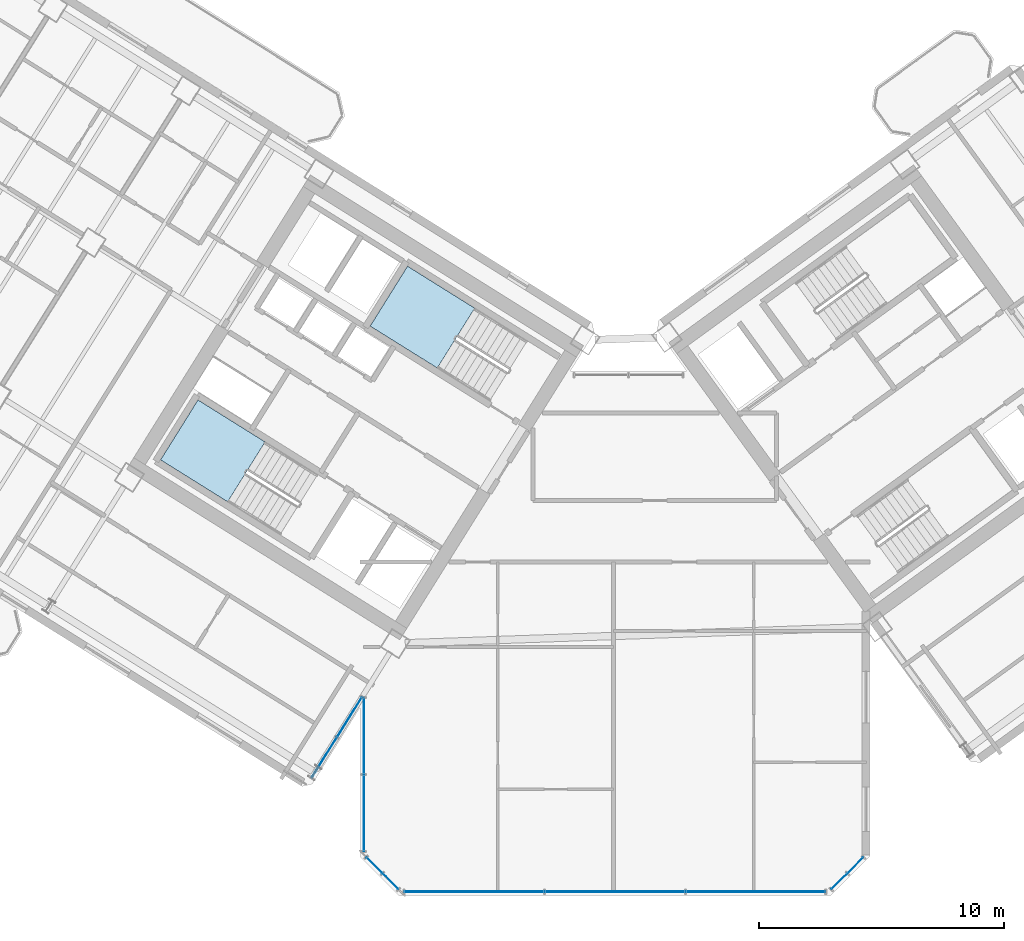
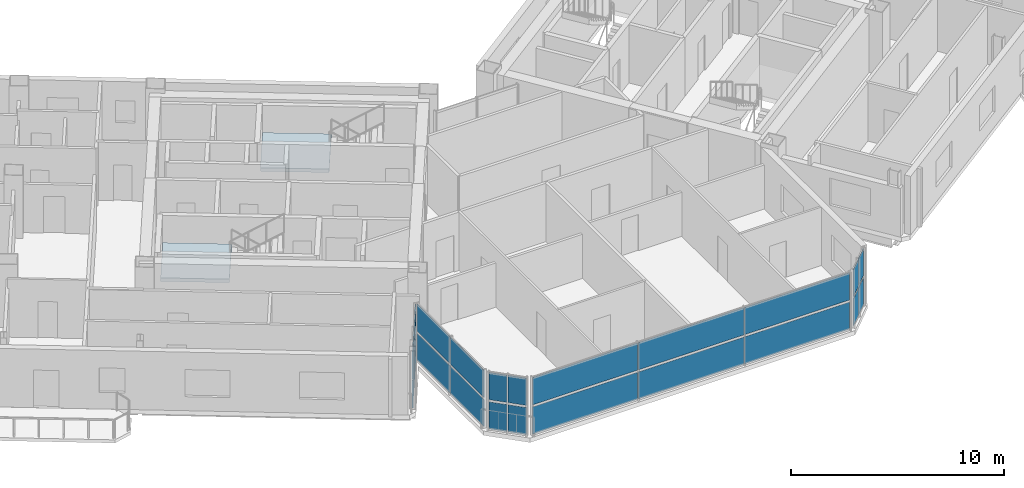
# One storey, part 14 of 25: 22 plates, 2 slabs, 7 elements without a shape of their own.
"""IFC4 building model written with IfcOpenShell, lengths in metres."""

from ifc_helpers import new_model, si_unit, direction, frame, origin, origin_2d, place, context, subcontext, project, spatial, polyline, rectangle, outline, extrude, source, transform, mapped, material, layer, layer_set, type_object, element, aggregate, save


model = new_model("IFC4")

# Units and contexts
model_context = context("Model", 3, precision=1e-05, world=origin(), true_north=direction((0.0, 1.0)))
body_context = subcontext(model_context, "Body", "Model", "MODEL_VIEW")
ifc_project = project(units=[si_unit("LENGTHUNIT", "METRE"), si_unit("AREAUNIT", "SQUARE_METRE"), si_unit("VOLUMEUNIT", "CUBIC_METRE"), si_unit("PLANEANGLEUNIT", "RADIAN"), si_unit("MASSUNIT", "GRAM", prefix="KILO")], contexts=[model_context])

# Site, building, storey
site_placement = place(None, origin())
site = spatial("IfcSite", under=ifc_project, at=site_placement, CompositionType="ELEMENT")
building_placement = place(site_placement, origin())
building = spatial("IfcBuilding", under=site, at=building_placement, Name="Tlacorven Tower", CompositionType="ELEMENT")
storey_placement = place(building_placement, frame((0.0, 0.0, 162.300048828125)))
storey = spatial("IfcBuildingStorey", under=building, at=storey_placement, Name="L41", CompositionType="ELEMENT", Elevation=162.300048828125)

# Stair, slab
ifc_material_1 = material(Name="Concrete C40/50", Category="concrete")
stair_type = type_object("IfcStairType", Name="ST-CORE-DLG", PredefinedType="HALF_TURN_STAIR", material=ifc_material_1)
stair_1_placement = place(storey_placement, origin())
stair_1 = element("IfcStair", 1, at=stair_1_placement, inside=storey, type_object=stair_type, Name="L41 Protected Exit Stair West 1", PredefinedType="HALF_TURN_STAIR")
ifc_layer_1 = layer(ifc_material_1, 0.199951171875)
ifc_layer_set_1 = layer_set([ifc_layer_1], Name="Concrete C40/50")
slab_type = type_object("IfcSlabType", Name="SL-LND-200", PredefinedType="LANDING", material=ifc_layer_set_1)
slab_1_placement = place(storey_placement, frame((0.0, 0.0, 1.599853515625)))
slab_1 = element("IfcSlab", 2, at=slab_1_placement, type_object=slab_type, Name="ST-W1 landing 1", PredefinedType="LANDING", context=body_context, shape_type="SweptSolid", body=[
    extrude(outline(polyline([(27.728515625, 20.315185546875), (24.9892578125, 22.02685546875), (23.463134765625, 19.58447265625), (26.2021484375, 17.872802734375), (27.728515625, 20.315185546875)])), origin(), (0.0, 0.0, 1.0), 0.2001953125),
])
aggregate(stair_1, [slab_1])

stair_2_placement = place(storey_placement, origin())
stair_2 = element("IfcStair", 3, at=stair_2_placement, inside=storey, type_object=stair_type, Name="L41 Protected Exit Stair West 2", PredefinedType="HALF_TURN_STAIR")
slab_2_placement = place(storey_placement, frame((0.0, 0.0, 1.599853515625)))
slab_2 = element("IfcSlab", 4, at=slab_2_placement, type_object=slab_type, Name="ST-W2 landing 1", PredefinedType="LANDING", context=body_context, shape_type="SweptSolid", body=[
    extrude(outline(polyline([(36.280029296875, 25.772705078125), (33.540771484375, 27.484375), (32.0146484375, 25.0419921875), (34.75390625, 23.33056640625), (36.280029296875, 25.772705078125)])), origin(), (0.0, 0.0, 1.0), 0.2001953125),
])
aggregate(stair_2, [slab_2])

# Curtain wall, plates
ifc_material_2 = material(Name="Dark solar low-E double glazing in aluminium frame", Category="aluminium")
curtain_wall_type = type_object("IfcCurtainWallType", Name="CW-TWR-MID", PredefinedType="USERDEFINED", material=ifc_material_2)
curtain_wall_1_placement = place(storey_placement, origin())
curtain_wall_1 = element("IfcCurtainWall", 5, at=curtain_wall_1_placement, inside=storey, type_object=curtain_wall_type, Name="L41 CW-TWR-MID Curtain Wall 184", ObjectType="UNITISED CURTAIN WALL", PredefinedType="USERDEFINED")
ifc_material_3 = material(Name="High-wind dark solar tempered low-E glazing", Category="glass")
ifc_layer_2 = layer(ifc_material_3, 0.028076171875)
ifc_layer_set_2 = layer_set([ifc_layer_2], Name="High-wind dark solar tempered low-E glazing")
plate_type = type_object("IfcPlateType", Name="CWP-03", PredefinedType="CURTAIN_PANEL", material=ifc_layer_set_2)
shared_shape_1 = source(origin(), body_context, "Body", "SweptSolid", [
    extrude(rectangle(XDim=0.885498046875, YDim=0.028076171875, at=origin_2d()), origin(), (0.0, 0.0, 1.0), 1.552978515625),
])
plate_1_placement = place(storey_placement, frame((51.816650390625, 3.04296875, 0.06103515625), z_axis=(0.0, 0.0, 1.0), x_axis=(-0.707106781187, -0.707106781187, 0.0)))
plate_1 = element("IfcPlate", 6, at=plate_1_placement, type_object=plate_type, Name="CW-L41-184 Glazing Panel 1", PredefinedType="CURTAIN_PANEL", context=body_context, shape_type="MappedRepresentation", body=[
    mapped(shared_shape_1, transform((0.0, 0.0, 0.0), scale=1.0)),
])
plate_2_placement = place(storey_placement, frame((51.816650390625, 3.04296875, 1.73583984375), z_axis=(0.0, 0.0, 1.0), x_axis=(-0.707106781187, -0.707106781187, 0.0)))
plate_2 = element("IfcPlate", 7, at=plate_2_placement, type_object=plate_type, Name="CW-L41-184 Glazing Panel 2", PredefinedType="CURTAIN_PANEL", context=body_context, shape_type="MappedRepresentation", body=[
    mapped(shared_shape_1, transform((0.0, 0.0, 0.0), scale=1.0)),
])
plate_3_placement = place(storey_placement, frame((51.1572265625, 2.38330078125, 0.06103515625), z_axis=(0.0, 0.0, 1.0), x_axis=(-0.707106781187, -0.707106781187, 0.0)))
plate_3 = element("IfcPlate", 8, at=plate_3_placement, type_object=plate_type, Name="CW-L41-184 Glazing Panel 3", PredefinedType="CURTAIN_PANEL", context=body_context, shape_type="MappedRepresentation", body=[
    mapped(shared_shape_1, transform((0.0, 0.0, 0.0), scale=1.0)),
])
plate_4_placement = place(storey_placement, frame((51.1572265625, 2.38330078125, 1.73583984375), z_axis=(0.0, 0.0, 1.0), x_axis=(-0.707106781187, -0.707106781187, 0.0)))
plate_4 = element("IfcPlate", 9, at=plate_4_placement, type_object=plate_type, Name="CW-L41-184 Glazing Panel 4", PredefinedType="CURTAIN_PANEL", context=body_context, shape_type="MappedRepresentation", body=[
    mapped(shared_shape_1, transform((0.0, 0.0, 0.0), scale=1.0)),
])
aggregate(curtain_wall_1, [plate_1, plate_2, plate_3, plate_4])

curtain_wall_2_placement = place(storey_placement, origin())
curtain_wall_2 = element("IfcCurtainWall", 10, at=curtain_wall_2_placement, inside=storey, type_object=curtain_wall_type, Name="L41 CW-TWR-MID Curtain Wall 186", ObjectType="UNITISED CURTAIN WALL", PredefinedType="USERDEFINED")
plate_5_placement = place(storey_placement, frame((32.8427734375, 2.38330078125, 0.06103515625), z_axis=(0.0, 0.0, 1.0), x_axis=(-0.707106781187, 0.707106781187, 0.0)))
plate_5 = element("IfcPlate", 11, at=plate_5_placement, type_object=plate_type, Name="CW-L41-186 Glazing Panel 1", PredefinedType="CURTAIN_PANEL", context=body_context, shape_type="MappedRepresentation", body=[
    mapped(shared_shape_1, transform((0.0, 0.0, 0.0), scale=1.0)),
])
plate_6_placement = place(storey_placement, frame((32.8427734375, 2.38330078125, 1.73583984375), z_axis=(0.0, 0.0, 1.0), x_axis=(-0.707106781187, 0.707106781187, 0.0)))
plate_6 = element("IfcPlate", 12, at=plate_6_placement, type_object=plate_type, Name="CW-L41-186 Glazing Panel 2", PredefinedType="CURTAIN_PANEL", context=body_context, shape_type="MappedRepresentation", body=[
    mapped(shared_shape_1, transform((0.0, 0.0, 0.0), scale=1.0)),
])
plate_7_placement = place(storey_placement, frame((32.183349609375, 3.04296875, 0.06103515625), z_axis=(0.0, 0.0, 1.0), x_axis=(-0.707106781187, 0.707106781187, 0.0)))
plate_7 = element("IfcPlate", 13, at=plate_7_placement, type_object=plate_type, Name="CW-L41-186 Glazing Panel 3", PredefinedType="CURTAIN_PANEL", context=body_context, shape_type="MappedRepresentation", body=[
    mapped(shared_shape_1, transform((0.0, 0.0, 0.0), scale=1.0)),
])
plate_8_placement = place(storey_placement, frame((32.183349609375, 3.04296875, 1.73583984375), z_axis=(0.0, 0.0, 1.0), x_axis=(-0.707106781187, 0.707106781187, 0.0)))
plate_8 = element("IfcPlate", 14, at=plate_8_placement, type_object=plate_type, Name="CW-L41-186 Glazing Panel 4", PredefinedType="CURTAIN_PANEL", context=body_context, shape_type="MappedRepresentation", body=[
    mapped(shared_shape_1, transform((0.0, 0.0, 0.0), scale=1.0)),
])
aggregate(curtain_wall_2, [plate_5, plate_6, plate_7, plate_8])

curtain_wall_3_placement = place(storey_placement, origin())
curtain_wall_3 = element("IfcCurtainWall", 15, at=curtain_wall_3_placement, inside=storey, type_object=curtain_wall_type, Name="L41 CW-TWR-MID Curtain Wall 185", ObjectType="UNITISED CURTAIN WALL", PredefinedType="USERDEFINED")
shared_shape_2 = source(origin(), body_context, "Body", "SweptSolid", [
    extrude(rectangle(XDim=5.67626953125, YDim=0.028076171875, at=origin_2d()), origin(), (0.0, 0.0, 1.0), 1.552978515625),
])
plate_9_placement = place(storey_placement, frame((47.739501953125, 1.9599609375, 0.06103515625), z_axis=(0.0, 0.0, 1.0), x_axis=(-1.0, 0.0, 0.0)))
plate_9 = element("IfcPlate", 16, at=plate_9_placement, type_object=plate_type, Name="CW-L41-185 Glazing Panel 1", PredefinedType="CURTAIN_PANEL", context=body_context, shape_type="MappedRepresentation", body=[
    mapped(shared_shape_2, transform((0.0, 0.0, 0.0), scale=1.0)),
])
plate_10_placement = place(storey_placement, frame((47.739501953125, 1.9599609375, 1.73583984375), z_axis=(0.0, 0.0, 1.0), x_axis=(-1.0, 0.0, 0.0)))
plate_10 = element("IfcPlate", 17, at=plate_10_placement, type_object=plate_type, Name="CW-L41-185 Glazing Panel 2", PredefinedType="CURTAIN_PANEL", context=body_context, shape_type="MappedRepresentation", body=[
    mapped(shared_shape_2, transform((0.0, 0.0, 0.0), scale=1.0)),
])
plate_11_placement = place(storey_placement, frame((36.260498046875, 1.9599609375, 0.06103515625), z_axis=(0.0, 0.0, 1.0), x_axis=(-1.0, 0.0, 0.0)))
plate_11 = element("IfcPlate", 18, at=plate_11_placement, type_object=plate_type, Name="CW-L41-185 Glazing Panel 5", PredefinedType="CURTAIN_PANEL", context=body_context, shape_type="MappedRepresentation", body=[
    mapped(shared_shape_2, transform((0.0, 0.0, 0.0), scale=1.0)),
])
plate_12_placement = place(storey_placement, frame((36.260498046875, 1.9599609375, 1.73583984375), z_axis=(0.0, 0.0, 1.0), x_axis=(-1.0, 0.0, 0.0)))
plate_12 = element("IfcPlate", 19, at=plate_12_placement, type_object=plate_type, Name="CW-L41-185 Glazing Panel 6", PredefinedType="CURTAIN_PANEL", context=body_context, shape_type="MappedRepresentation", body=[
    mapped(shared_shape_2, transform((0.0, 0.0, 0.0), scale=1.0)),
])
shared_shape_3 = source(origin(), body_context, "Body", "SweptSolid", [
    extrude(rectangle(XDim=5.708740234375, YDim=0.028076171875, at=origin_2d()), origin(), (0.0, 0.0, 1.0), 1.552978515625),
])
plate_13_placement = place(storey_placement, frame((42.0, 1.9599609375, 0.06103515625), z_axis=(0.0, 0.0, 1.0), x_axis=(-1.0, 0.0, 0.0)))
plate_13 = element("IfcPlate", 20, at=plate_13_placement, type_object=plate_type, Name="CW-L41-185 Glazing Panel 3", PredefinedType="CURTAIN_PANEL", context=body_context, shape_type="MappedRepresentation", body=[
    mapped(shared_shape_3, transform((0.0, 0.0, 0.0), scale=1.0)),
])
plate_14_placement = place(storey_placement, frame((42.0, 1.9599609375, 1.73583984375), z_axis=(0.0, 0.0, 1.0), x_axis=(-1.0, 0.0, 0.0)))
plate_14 = element("IfcPlate", 21, at=plate_14_placement, type_object=plate_type, Name="CW-L41-185 Glazing Panel 4", PredefinedType="CURTAIN_PANEL", context=body_context, shape_type="MappedRepresentation", body=[
    mapped(shared_shape_3, transform((0.0, 0.0, 0.0), scale=1.0)),
])
aggregate(curtain_wall_3, [plate_9, plate_10, plate_13, plate_14, plate_11, plate_12])

curtain_wall_4_placement = place(storey_placement, origin())
curtain_wall_4 = element("IfcCurtainWall", 22, at=curtain_wall_4_placement, inside=storey, type_object=curtain_wall_type, Name="L41 CW-TWR-MID Curtain Wall 187", ObjectType="UNITISED CURTAIN WALL", PredefinedType="USERDEFINED")
shared_shape_4 = source(origin(), body_context, "Body", "SweptSolid", [
    extrude(rectangle(XDim=3.101806640625, YDim=0.028076171875, at=origin_2d()), origin(), (0.0, 0.0, 1.0), 1.552978515625),
])
plate_15_placement = place(storey_placement, frame((31.760009765625, 5.173095703125, 0.06103515625), z_axis=(0.0, 0.0, 1.0), x_axis=(0.0, 1.0, 0.0)))
plate_15 = element("IfcPlate", 23, at=plate_15_placement, type_object=plate_type, Name="CW-L41-187 Glazing Panel 1", PredefinedType="CURTAIN_PANEL", context=body_context, shape_type="MappedRepresentation", body=[
    mapped(shared_shape_4, transform((0.0, 0.0, 0.0), scale=1.0)),
])
plate_16_placement = place(storey_placement, frame((31.760009765625, 5.173095703125, 1.73583984375), z_axis=(0.0, 0.0, 1.0), x_axis=(0.0, 1.0, 0.0)))
plate_16 = element("IfcPlate", 24, at=plate_16_placement, type_object=plate_type, Name="CW-L41-187 Glazing Panel 2", PredefinedType="CURTAIN_PANEL", context=body_context, shape_type="MappedRepresentation", body=[
    mapped(shared_shape_4, transform((0.0, 0.0, 0.0), scale=1.0)),
])
plate_17_placement = place(storey_placement, frame((31.760009765625, 8.32177734375, 0.06103515625), z_axis=(0.0, 0.0, 1.0), x_axis=(0.0, 1.0, 0.0)))
plate_17 = element("IfcPlate", 25, at=plate_17_placement, type_object=plate_type, Name="CW-L41-187 Glazing Panel 3", PredefinedType="CURTAIN_PANEL", context=body_context, shape_type="MappedRepresentation", body=[
    mapped(shared_shape_4, transform((0.0, 0.0, 0.0), scale=1.0)),
])
plate_18_placement = place(storey_placement, frame((31.760009765625, 8.32177734375, 1.73583984375), z_axis=(0.0, 0.0, 1.0), x_axis=(0.0, 1.0, 0.0)))
plate_18 = element("IfcPlate", 26, at=plate_18_placement, type_object=plate_type, Name="CW-L41-187 Glazing Panel 4", PredefinedType="CURTAIN_PANEL", context=body_context, shape_type="MappedRepresentation", body=[
    mapped(shared_shape_4, transform((0.0, 0.0, 0.0), scale=1.0)),
])
aggregate(curtain_wall_4, [plate_15, plate_16, plate_17, plate_18])

curtain_wall_5_placement = place(storey_placement, origin())
curtain_wall_5 = element("IfcCurtainWall", 27, at=curtain_wall_5_placement, inside=storey, type_object=curtain_wall_type, Name="L41 CW-TWR-MID Curtain Wall 188", ObjectType="UNITISED CURTAIN WALL", PredefinedType="USERDEFINED")
shared_shape_5 = source(origin(), body_context, "Body", "SweptSolid", [
    extrude(rectangle(XDim=1.90380859375, YDim=0.028076171875, at=origin_2d()), origin(), (0.0, 0.0, 1.0), 1.552978515625),
])
plate_19_placement = place(storey_placement, frame((31.1728515625, 9.089111328125, 0.06103515625), z_axis=(0.0, 0.0, 1.0), x_axis=(-0.529918710919, -0.848048441905, 0.0)))
plate_19 = element("IfcPlate", 28, at=plate_19_placement, type_object=plate_type, Name="CW-L41-188 Glazing Panel 1", PredefinedType="CURTAIN_PANEL", context=body_context, shape_type="MappedRepresentation", body=[
    mapped(shared_shape_5, transform((0.0, 0.0, 0.0), scale=1.0)),
])
plate_20_placement = place(storey_placement, frame((31.1728515625, 9.089111328125, 1.73583984375), z_axis=(0.0, 0.0, 1.0), x_axis=(-0.529918710919, -0.848048441905, 0.0)))
plate_20 = element("IfcPlate", 29, at=plate_20_placement, type_object=plate_type, Name="CW-L41-188 Glazing Panel 2", PredefinedType="CURTAIN_PANEL", context=body_context, shape_type="MappedRepresentation", body=[
    mapped(shared_shape_5, transform((0.0, 0.0, 0.0), scale=1.0)),
])
plate_21_placement = place(storey_placement, frame((30.13916015625, 7.4345703125, 0.06103515625), z_axis=(0.0, 0.0, 1.0), x_axis=(-0.529918710919, -0.848048441905, 0.0)))
plate_21 = element("IfcPlate", 30, at=plate_21_placement, type_object=plate_type, Name="CW-L41-188 Glazing Panel 3", PredefinedType="CURTAIN_PANEL", context=body_context, shape_type="MappedRepresentation", body=[
    mapped(shared_shape_5, transform((0.0, 0.0, 0.0), scale=1.0)),
])
plate_22_placement = place(storey_placement, frame((30.13916015625, 7.4345703125, 1.73583984375), z_axis=(0.0, 0.0, 1.0), x_axis=(-0.529918710919, -0.848048441905, 0.0)))
plate_22 = element("IfcPlate", 31, at=plate_22_placement, type_object=plate_type, Name="CW-L41-188 Glazing Panel 4", PredefinedType="CURTAIN_PANEL", context=body_context, shape_type="MappedRepresentation", body=[
    mapped(shared_shape_5, transform((0.0, 0.0, 0.0), scale=1.0)),
])
aggregate(curtain_wall_5, [plate_19, plate_20, plate_21, plate_22])

save(model, "model.ifc")
